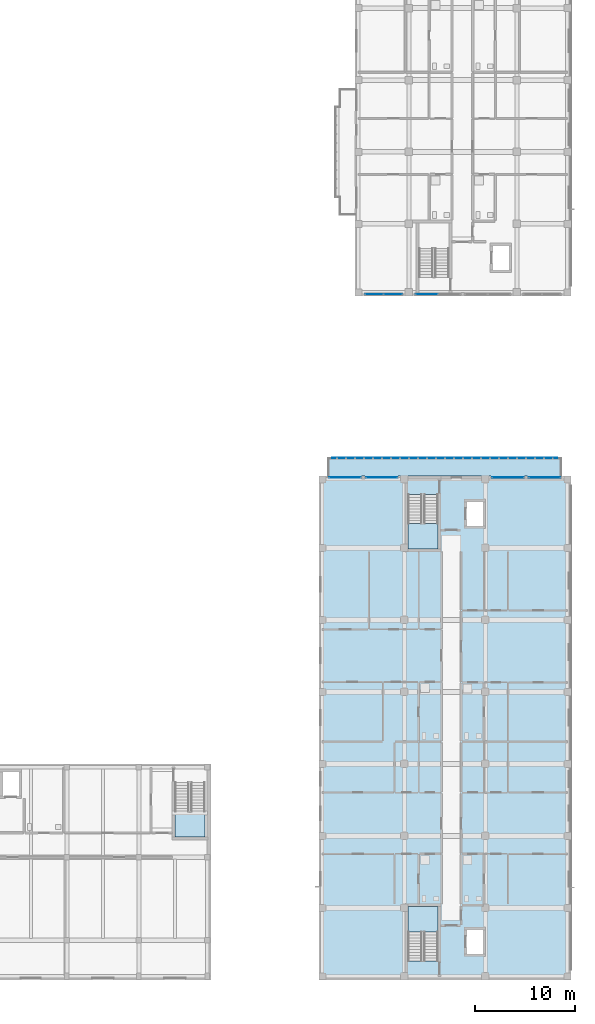
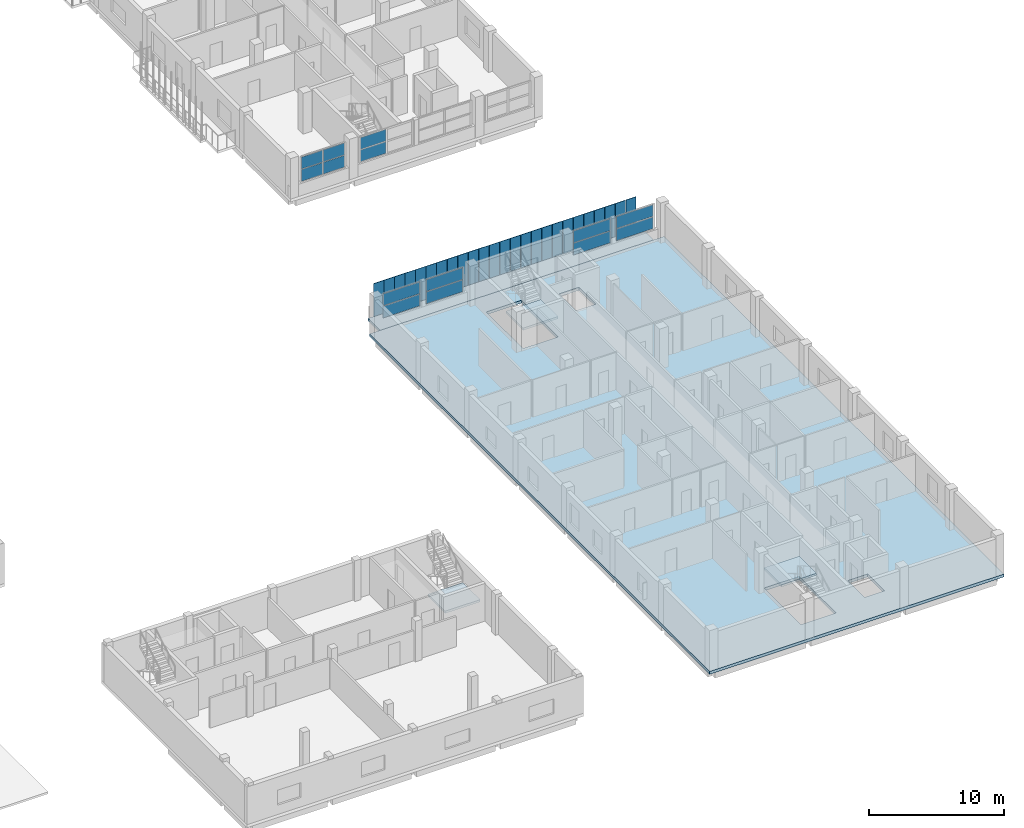
# One storey, part 32 of 73: 39 plates, 5 slabs, 9 elements without a shape of their own.
"""IFC4 building model written with IfcOpenShell, lengths in metres."""

from ifc_helpers import new_model, si_unit, derived_unit, direction, frame, origin, origin_2d, place, context, subcontext, project, spatial, polyline, rectangle, outline, extrude, material, layer, layer_set, type_object, element, aggregate, save


model = new_model("IFC4")

# Units and contexts
model_context = context("Model", 3, precision=1e-05, world=origin(), true_north=direction((0.0, 1.0)))
body_context = subcontext(model_context, "Body", "Model", "MODEL_VIEW")
ifc_project = project(units=[si_unit("LENGTHUNIT", "METRE"), si_unit("AREAUNIT", "SQUARE_METRE"), si_unit("VOLUMEUNIT", "CUBIC_METRE"), si_unit("PLANEANGLEUNIT", "RADIAN"), si_unit("MASSUNIT", "GRAM", prefix="KILO"), derived_unit("THERMALTRANSMITTANCEUNIT", [(si_unit("MASSUNIT", "GRAM", prefix="KILO"), 1), (si_unit("TIMEUNIT", "SECOND"), -3), (si_unit("THERMODYNAMICTEMPERATUREUNIT", "KELVIN"), -1)])], contexts=[model_context])

# Site, building, storey
site_placement = place(None, origin())
site = spatial("IfcSite", under=ifc_project, at=site_placement, CompositionType="ELEMENT")
building_placement = place(site_placement, origin())
building = spatial("IfcBuilding", under=site, at=building_placement, Name="Ochrekiln Boulevard Commons", CompositionType="ELEMENT")
storey_placement = place(building_placement, frame((0.0, 0.0, 4.89990234375)))
storey = spatial("IfcBuildingStorey", under=building, at=storey_placement, Name="L01", CompositionType="ELEMENT", Elevation=4.89990234375)

# Curtain wall, plates
ifc_material_1 = material(Name="Bronze-anodized extruded aluminium 6063-T6", Category="aluminium")
ifc_layer_1 = layer(ifc_material_1, 0.18408203125)
ifc_layer_set_1 = layer_set([ifc_layer_1], Name="Bronze-anodized extruded aluminium 6063-T6")
curtain_wall_type = type_object("IfcCurtainWallType", Name="CW-GABLE-B", PredefinedType="USERDEFINED", material=ifc_layer_set_1)
curtain_wall_1_placement = place(storey_placement, origin())
curtain_wall_1 = element("IfcCurtainWall", 1, at=curtain_wall_1_placement, inside=storey, type_object=curtain_wall_type, Name="Block B L01 Courtyard Glazed Gable Curtain Wall 2", ObjectType="GLAZED CURTAIN WALL", PredefinedType="USERDEFINED")
ifc_material_2 = material(Name="Spectrally selective low-E insulated glazing", Category="glass")
ifc_layer_2 = layer(ifc_material_2, 0.02392578125)
ifc_layer_set_2 = layer_set([ifc_layer_2], Name="Spectrally selective low-E insulated glazing")
plate_type_1 = type_object("IfcPlateType", Name="CWP-GLZ-1", PredefinedType="CURTAIN_PANEL", material=ifc_layer_set_2)
plate_1_placement = place(storey_placement, frame((158.38134765625, 68.570068359375, 1.17529296875), z_axis=(0.0, 0.0, 1.0), x_axis=(1.0, 0.0, 0.0)))
plate_1 = element("IfcPlate", 2, at=plate_1_placement, type_object=plate_type_1, Name="CW-02 panel 1.1", PredefinedType="CURTAIN_PANEL", context=body_context, shape_type="SweptSolid", body=[
    extrude(rectangle(XDim=2.1923828125, YDim=0.02392578125, at=origin_2d()), origin(), (0.0, 0.0, 1.0), 1.054443359375),
])
plate_2_placement = place(storey_placement, frame((158.38134765625, 68.570068359375, 2.29443359375), z_axis=(0.0, 0.0, 1.0), x_axis=(1.0, 0.0, 0.0)))
plate_2 = element("IfcPlate", 3, at=plate_2_placement, type_object=plate_type_1, Name="CW-02 panel 1.2", PredefinedType="CURTAIN_PANEL", context=body_context, shape_type="SweptSolid", body=[
    extrude(rectangle(XDim=2.1923828125, YDim=0.02392578125, at=origin_2d()), origin(), (0.0, 0.0, 1.0), 1.055419921875),
])
aggregate(curtain_wall_1, [plate_1, plate_2])

curtain_wall_2_placement = place(storey_placement, origin())
curtain_wall_2 = element("IfcCurtainWall", 4, at=curtain_wall_2_placement, inside=storey, type_object=curtain_wall_type, Name="Block C L01 Courtyard Glazed Gable Curtain Wall 4", ObjectType="GLAZED CURTAIN WALL", PredefinedType="USERDEFINED")
plate_3_placement = place(storey_placement, frame((170.18994140625, 50.235107421875, 1.17529296875), z_axis=(0.0, 0.0, 1.0), x_axis=(1.0, 0.0, 0.0)))
plate_3 = element("IfcPlate", 5, at=plate_3_placement, type_object=plate_type_1, Name="CW-02 panel 1.1", PredefinedType="CURTAIN_PANEL", context=body_context, shape_type="SweptSolid", body=[
    extrude(rectangle(XDim=3.14990234375, YDim=0.02392578125, at=origin_2d()), origin(), (0.0, 0.0, 1.0), 1.054443359375),
])
plate_4_placement = place(storey_placement, frame((170.18994140625, 50.235107421875, 2.29443359375), z_axis=(0.0, 0.0, 1.0), x_axis=(1.0, 0.0, 0.0)))
plate_4 = element("IfcPlate", 6, at=plate_4_placement, type_object=plate_type_1, Name="CW-02 panel 1.2", PredefinedType="CURTAIN_PANEL", context=body_context, shape_type="SweptSolid", body=[
    extrude(rectangle(XDim=3.14990234375, YDim=0.02392578125, at=origin_2d()), origin(), (0.0, 0.0, 1.0), 1.055419921875),
])
aggregate(curtain_wall_2, [plate_3, plate_4])

curtain_wall_3_placement = place(storey_placement, origin())
curtain_wall_3 = element("IfcCurtainWall", 7, at=curtain_wall_3_placement, inside=storey, type_object=curtain_wall_type, Name="Block C L01 Courtyard Glazed Gable Curtain Wall 1", ObjectType="GLAZED CURTAIN WALL", PredefinedType="USERDEFINED")
ifc_layer_3 = layer(ifc_material_2, 0.030029296875)
ifc_layer_set_3 = layer_set([ifc_layer_3], Name="Spectrally selective low-E insulated glazing")
plate_type_2 = type_object("IfcPlateType", Name="CWP-GLZ-2", PredefinedType="CURTAIN_PANEL", material=ifc_layer_set_3)
plate_5_placement = place(storey_placement, frame((150.2099609375, 50.235107421875, 1.17529296875), z_axis=(0.0, 0.0, 1.0), x_axis=(1.0, 0.0, 0.0)))
plate_5 = element("IfcPlate", 8, at=plate_5_placement, type_object=plate_type_2, Name="CW-02 panel 1.1", PredefinedType="CURTAIN_PANEL", context=body_context, shape_type="SweptSolid", body=[
    extrude(rectangle(XDim=3.14990234375, YDim=0.030029296875, at=origin_2d()), origin(), (0.0, 0.0, 1.0), 1.054443359375),
])
plate_6_placement = place(storey_placement, frame((150.2099609375, 50.235107421875, 2.29443359375), z_axis=(0.0, 0.0, 1.0), x_axis=(1.0, 0.0, 0.0)))
plate_6 = element("IfcPlate", 9, at=plate_6_placement, type_object=plate_type_2, Name="CW-02 panel 1.2", PredefinedType="CURTAIN_PANEL", context=body_context, shape_type="SweptSolid", body=[
    extrude(rectangle(XDim=3.14990234375, YDim=0.030029296875, at=origin_2d()), origin(), (0.0, 0.0, 1.0), 1.055419921875),
])
aggregate(curtain_wall_3, [plate_5, plate_6])

curtain_wall_4_placement = place(storey_placement, origin())
curtain_wall_4 = element("IfcCurtainWall", 10, at=curtain_wall_4_placement, inside=storey, type_object=curtain_wall_type, Name="Block C L01 Courtyard Glazed Gable Curtain Wall 2", ObjectType="GLAZED CURTAIN WALL", PredefinedType="USERDEFINED")
ifc_layer_4 = layer(ifc_material_2, 0.035888671875)
ifc_layer_set_4 = layer_set([ifc_layer_4], Name="Spectrally selective low-E insulated glazing")
plate_type_3 = type_object("IfcPlateType", Name="CWP-GLZ-3", PredefinedType="CURTAIN_PANEL", material=ifc_layer_set_4)
plate_7_placement = place(storey_placement, frame((153.889892578125, 50.235107421875, 1.17529296875), z_axis=(0.0, 0.0, 1.0), x_axis=(1.0, 0.0, 0.0)))
plate_7 = element("IfcPlate", 11, at=plate_7_placement, type_object=plate_type_3, Name="CW-02 panel 1.1", PredefinedType="CURTAIN_PANEL", context=body_context, shape_type="SweptSolid", body=[
    extrude(rectangle(XDim=3.14990234375, YDim=0.035888671875, at=origin_2d()), origin(), (0.0, 0.0, 1.0), 1.054443359375),
])
plate_8_placement = place(storey_placement, frame((153.889892578125, 50.235107421875, 2.29443359375), z_axis=(0.0, 0.0, 1.0), x_axis=(1.0, 0.0, 0.0)))
plate_8 = element("IfcPlate", 12, at=plate_8_placement, type_object=plate_type_3, Name="CW-02 panel 1.2", PredefinedType="CURTAIN_PANEL", context=body_context, shape_type="SweptSolid", body=[
    extrude(rectangle(XDim=3.14990234375, YDim=0.035888671875, at=origin_2d()), origin(), (0.0, 0.0, 1.0), 1.055419921875),
])
aggregate(curtain_wall_4, [plate_7, plate_8])

curtain_wall_5_placement = place(storey_placement, origin())
curtain_wall_5 = element("IfcCurtainWall", 13, at=curtain_wall_5_placement, inside=storey, type_object=curtain_wall_type, Name="Block B L01 Courtyard Glazed Gable Curtain Wall 1", ObjectType="GLAZED CURTAIN WALL", PredefinedType="USERDEFINED")
ifc_layer_5 = layer(ifc_material_2, 0.0419921875)
ifc_layer_set_5 = layer_set([ifc_layer_5], Name="Spectrally selective low-E insulated glazing")
plate_type_4 = type_object("IfcPlateType", Name="CWP-GLZ-4", PredefinedType="CURTAIN_PANEL", material=ifc_layer_set_5)
plate_9_placement = place(storey_placement, frame((153.137451171875, 68.570068359375, 1.170166015625), z_axis=(0.0, 0.0, 1.0), x_axis=(1.0, 0.0, 0.0)))
plate_9 = element("IfcPlate", 14, at=plate_9_placement, type_object=plate_type_4, Name="CW-02 panel 1.1", PredefinedType="CURTAIN_PANEL", context=body_context, shape_type="SweptSolid", body=[
    extrude(rectangle(XDim=1.81494140625, YDim=0.0419921875, at=origin_2d()), origin(), (0.0, 0.0, 1.0), 1.06201171875),
])
plate_10_placement = place(storey_placement, frame((153.137451171875, 68.570068359375, 2.2919921875), z_axis=(0.0, 0.0, 1.0), x_axis=(1.0, 0.0, 0.0)))
plate_10 = element("IfcPlate", 15, at=plate_10_placement, type_object=plate_type_4, Name="CW-02 panel 1.2", PredefinedType="CURTAIN_PANEL", context=body_context, shape_type="SweptSolid", body=[
    extrude(rectangle(XDim=1.81494140625, YDim=0.0419921875, at=origin_2d()), origin(), (0.0, 0.0, 1.0), 1.06298828125),
])
plate_11_placement = place(storey_placement, frame((155.012451171875, 68.570068359375, 1.170166015625), z_axis=(0.0, 0.0, 1.0), x_axis=(1.0, 0.0, 0.0)))
plate_11 = element("IfcPlate", 16, at=plate_11_placement, type_object=plate_type_4, Name="CW-02 panel 2.1", PredefinedType="CURTAIN_PANEL", context=body_context, shape_type="SweptSolid", body=[
    extrude(rectangle(XDim=1.81494140625, YDim=0.0419921875, at=origin_2d()), origin(), (0.0, 0.0, 1.0), 1.06201171875),
])
plate_12_placement = place(storey_placement, frame((155.012451171875, 68.570068359375, 2.2919921875), z_axis=(0.0, 0.0, 1.0), x_axis=(1.0, 0.0, 0.0)))
plate_12 = element("IfcPlate", 17, at=plate_12_placement, type_object=plate_type_4, Name="CW-02 panel 2.2", PredefinedType="CURTAIN_PANEL", context=body_context, shape_type="SweptSolid", body=[
    extrude(rectangle(XDim=1.81494140625, YDim=0.0419921875, at=origin_2d()), origin(), (0.0, 0.0, 1.0), 1.06298828125),
])
aggregate(curtain_wall_5, [plate_9, plate_10, plate_11, plate_12])

curtain_wall_6_placement = place(storey_placement, origin())
curtain_wall_6 = element("IfcCurtainWall", 18, at=curtain_wall_6_placement, inside=storey, type_object=curtain_wall_type, Name="Block C L01 Courtyard Glazed Gable Curtain Wall 3", ObjectType="GLAZED CURTAIN WALL", PredefinedType="USERDEFINED")
plate_13_placement = place(storey_placement, frame((166.510009765625, 50.235107421875, 1.17529296875), z_axis=(0.0, 0.0, 1.0), x_axis=(1.0, 0.0, 0.0)))
plate_13 = element("IfcPlate", 19, at=plate_13_placement, type_object=plate_type_4, Name="CW-02 panel 1.1", PredefinedType="CURTAIN_PANEL", context=body_context, shape_type="SweptSolid", body=[
    extrude(rectangle(XDim=3.14990234375, YDim=0.0419921875, at=origin_2d()), origin(), (0.0, 0.0, 1.0), 1.054443359375),
])
plate_14_placement = place(storey_placement, frame((166.510009765625, 50.235107421875, 2.29443359375), z_axis=(0.0, 0.0, 1.0), x_axis=(1.0, 0.0, 0.0)))
plate_14 = element("IfcPlate", 20, at=plate_14_placement, type_object=plate_type_4, Name="CW-02 panel 1.2", PredefinedType="CURTAIN_PANEL", context=body_context, shape_type="SweptSolid", body=[
    extrude(rectangle(XDim=3.14990234375, YDim=0.0419921875, at=origin_2d()), origin(), (0.0, 0.0, 1.0), 1.055419921875),
])
aggregate(curtain_wall_6, [plate_13, plate_14])

# Plates
ifc_layer_6 = layer(ifc_material_1, 0.031982421875)
ifc_layer_set_6 = layer_set([ifc_layer_6], Name="Bronze-anodized extruded aluminium 6063-T6")
plate_type_5 = type_object("IfcPlateType", Name="PLT-SCR-BRZ-3", PredefinedType="USERDEFINED", material=ifc_layer_set_6)
for number, where, z_axis, x_axis, name in (
    (21, (149.39990234375, 52.18994140625, -0.159912109375), (0.0, 0.0, 1.0), (1.0, 0.0, 0.0), "Block C L01 Perforated Bronze Mesh Screen Panel 1"),
    (22, (150.300048828125, 52.18994140625, -0.159912109375), (0.0, 0.0, 1.0), (1.0, 0.0, 0.0), "Block C L01 Perforated Bronze Mesh Screen Panel 2"),
    (23, (151.199951171875, 52.18994140625, -0.159912109375), (0.0, 0.0, 1.0), (1.0, 0.0, 0.0), "Block C L01 Perforated Bronze Mesh Screen Panel 3"),
    (24, (152.10009765625, 52.18994140625, -0.159912109375), (0.0, 0.0, 1.0), (1.0, 0.0, 0.0), "Block C L01 Perforated Bronze Mesh Screen Panel 4"),
    (25, (153.0, 52.18994140625, -0.159912109375), (0.0, 0.0, 1.0), (1.0, 0.0, 0.0), "Block C L01 Perforated Bronze Mesh Screen Panel 5"),
    (26, (153.89990234375, 52.18994140625, -0.159912109375), (0.0, 0.0, 1.0), (1.0, 0.0, 0.0), "Block C L01 Perforated Bronze Mesh Screen Panel 6"),
    (27, (154.800048828125, 52.18994140625, -0.159912109375), (0.0, 0.0, 1.0), (1.0, 0.0, 0.0), "Block C L01 Perforated Bronze Mesh Screen Panel 7"),
    (28, (155.699951171875, 52.18994140625, -0.159912109375), (0.0, 0.0, 1.0), (1.0, 0.0, 0.0), "Block C L01 Perforated Bronze Mesh Screen Panel 8"),
    (29, (156.60009765625, 52.18994140625, -0.159912109375), (0.0, 0.0, 1.0), (1.0, 0.0, 0.0), "Block C L01 Perforated Bronze Mesh Screen Panel 9"),
    (30, (157.5, 52.18994140625, -0.159912109375), (0.0, 0.0, 1.0), (1.0, 0.0, 0.0), "Block C L01 Perforated Bronze Mesh Screen Panel 10"),
    (31, (158.39990234375, 52.18994140625, -0.159912109375), (0.0, 0.0, 1.0), (1.0, 0.0, 0.0), "Block C L01 Perforated Bronze Mesh Screen Panel 11"),
    (32, (159.300048828125, 52.18994140625, -0.159912109375), (0.0, 0.0, 1.0), (1.0, 0.0, 0.0), "Block C L01 Perforated Bronze Mesh Screen Panel 12"),
    (33, (160.199951171875, 52.18994140625, -0.159912109375), (0.0, 0.0, 1.0), (1.0, 0.0, 0.0), "Block C L01 Perforated Bronze Mesh Screen Panel 13"),
    (34, (161.10009765625, 52.18994140625, -0.159912109375), (0.0, 0.0, 1.0), (1.0, 0.0, 0.0), "Block C L01 Perforated Bronze Mesh Screen Panel 14"),
    (35, (162.0, 52.18994140625, -0.159912109375), (0.0, 0.0, 1.0), (1.0, 0.0, 0.0), "Block C L01 Perforated Bronze Mesh Screen Panel 15"),
    (36, (162.89990234375, 52.18994140625, -0.159912109375), (0.0, 0.0, 1.0), (1.0, 0.0, 0.0), "Block C L01 Perforated Bronze Mesh Screen Panel 16"),
    (37, (163.800048828125, 52.18994140625, -0.159912109375), (0.0, 0.0, 1.0), (1.0, 0.0, 0.0), "Block C L01 Perforated Bronze Mesh Screen Panel 17"),
    (38, (164.699951171875, 52.18994140625, -0.159912109375), (0.0, 0.0, 1.0), (1.0, 0.0, 0.0), "Block C L01 Perforated Bronze Mesh Screen Panel 18"),
    (39, (165.60009765625, 52.18994140625, -0.159912109375), (0.0, 0.0, 1.0), (1.0, 0.0, 0.0), "Block C L01 Perforated Bronze Mesh Screen Panel 19"),
    (40, (166.5, 52.18994140625, -0.159912109375), (0.0, 0.0, 1.0), (1.0, 0.0, 0.0), "Block C L01 Perforated Bronze Mesh Screen Panel 20"),
    (41, (167.39990234375, 52.18994140625, -0.159912109375), (0.0, 0.0, 1.0), (1.0, 0.0, 0.0), "Block C L01 Perforated Bronze Mesh Screen Panel 21"),
    (42, (168.300048828125, 52.18994140625, -0.159912109375), (0.0, 0.0, 1.0), (1.0, 0.0, 0.0), "Block C L01 Perforated Bronze Mesh Screen Panel 22"),
    (43, (169.199951171875, 52.18994140625, -0.159912109375), (0.0, 0.0, 1.0), (1.0, 0.0, 0.0), "Block C L01 Perforated Bronze Mesh Screen Panel 23"),
    (44, (170.10009765625, 52.18994140625, -0.159912109375), (0.0, 0.0, 1.0), (1.0, 0.0, 0.0), "Block C L01 Perforated Bronze Mesh Screen Panel 24"),
    (45, (171.0, 52.18994140625, -0.159912109375), (0.0, 0.0, 1.0), (1.0, 0.0, 0.0), "Block C L01 Perforated Bronze Mesh Screen Panel 25"),
):
    element("IfcPlate", number, at=place(storey_placement, frame(where, z_axis=z_axis, x_axis=x_axis)), inside=storey, type_object=plate_type_5, Name=name, ObjectType="SCREEN", PredefinedType="USERDEFINED", context=body_context, shape_type="SweptSolid", body=[
        extrude(rectangle(XDim=0.8798828125, YDim=0.031982421875, at=origin_2d()), origin(), (0.0, 0.0, 1.0), 3.14990234375),
    ])

# Slab
ifc_material_3 = material(Name="Concrete C35/45", Category="concrete")
ifc_layer_7 = layer(ifc_material_3, 0.219970703125)
ifc_layer_set_7 = layer_set([ifc_layer_7], Name="Concrete C35/45")
slab_type_1 = type_object("IfcSlabType", Name="SLB-BAL-220", PredefinedType="FLOOR", material=ifc_layer_set_7)
slab_1_placement = place(storey_placement, frame((0.0, 0.0, -0.219970703125)))
element("IfcSlab", 46, at=slab_1_placement, inside=storey, type_object=slab_type_1, Name="Block C L01 Screened North Courtyard Balcony Slab", PredefinedType="FLOOR", context=body_context, shape_type="SweptSolid", body=[
    extrude(outline(polyline([(148.5, 50.39990234375), (171.89990234375, 50.39990234375), (171.89990234375, 52.199951171875), (148.5, 52.199951171875), (148.5, 50.39990234375)])), origin(), (0.0, 0.0, 1.0), 0.219970703125),
])

# Stair, slab
stair_type = type_object("IfcStairType", Name="STR-DL-368", PredefinedType="TWO_STRAIGHT_RUN_STAIR", material=ifc_material_3)
stair_1_placement = place(storey_placement, origin())
stair_1 = element("IfcStair", 47, at=stair_1_placement, inside=storey, type_object=stair_type, Name="L01 Enclosed Exit Stair ST-C1", PredefinedType="TWO_STRAIGHT_RUN_STAIR")
ifc_layer_8 = layer(ifc_material_3, 0.199951171875)
ifc_layer_set_8 = layer_set([ifc_layer_8], Name="Concrete C35/45")
slab_type_2 = type_object("IfcSlabType", Name="SLB-LND-200", PredefinedType="LANDING", material=ifc_layer_set_8)
slab_2_placement = place(storey_placement, frame((0.0, 0.0, 1.6376953125)))
slab_2 = element("IfcSlab", 48, at=slab_2_placement, type_object=slab_type_2, Name="ST-C1 landing 1", PredefinedType="LANDING", context=body_context, shape_type="SweptSolid", body=[
    extrude(outline(polyline([(159.5, 4.77001953125), (159.5, 7.320068359375), (156.5, 7.320068359375), (156.5, 4.77001953125), (159.5, 4.77001953125)])), origin(), (0.0, 0.0, 1.0), 0.199951171875),
])
aggregate(stair_1, [slab_2])

stair_2_placement = place(storey_placement, origin())
stair_2 = element("IfcStair", 49, at=stair_2_placement, inside=storey, type_object=stair_type, Name="L01 Enclosed Exit Stair ST-C2", PredefinedType="TWO_STRAIGHT_RUN_STAIR")
slab_3_placement = place(storey_placement, frame((0.0, 0.0, 1.6376953125)))
slab_3 = element("IfcSlab", 50, at=slab_3_placement, type_object=slab_type_2, Name="ST-C2 landing 1", PredefinedType="LANDING", context=body_context, shape_type="SweptSolid", body=[
    extrude(outline(polyline([(156.5, 45.6298828125), (156.5, 43.080078125), (159.5, 43.080078125), (159.5, 45.6298828125), (156.5, 45.6298828125)])), origin(), (0.0, 0.0, 1.0), 0.199951171875),
])
aggregate(stair_2, [slab_3])

stair_3_placement = place(storey_placement, origin())
stair_3 = element("IfcStair", 51, at=stair_3_placement, inside=storey, type_object=stair_type, Name="L01 Enclosed Exit Stair ST-E2", PredefinedType="TWO_STRAIGHT_RUN_STAIR")
slab_4_placement = place(storey_placement, frame((0.0, 0.0, 1.6376953125)))
slab_4 = element("IfcSlab", 52, at=slab_4_placement, type_object=slab_type_2, Name="ST-E2 landing 1", PredefinedType="LANDING", context=body_context, shape_type="SweptSolid", body=[
    extrude(outline(polyline([(133.199951171875, 16.830078125), (133.199951171875, 14.280029296875), (136.199951171875, 14.280029296875), (136.199951171875, 16.830078125), (133.199951171875, 16.830078125)])), origin(), (0.0, 0.0, 1.0), 0.199951171875),
])
aggregate(stair_3, [slab_4])

# Slab
ifc_layer_9 = layer(ifc_material_3, 0.260009765625)
ifc_layer_set_9 = layer_set([ifc_layer_9], Name="Concrete C35/45")
slab_type_3 = type_object("IfcSlabType", Name="SLB-RES-260", PredefinedType="FLOOR", material=ifc_layer_set_9)
slab_5_placement = place(storey_placement, frame((0.0, 0.0, -0.260009765625)))
element("IfcSlab", 53, at=slab_5_placement, inside=storey, type_object=slab_type_3, Name="Block C L01 Reinforced Concrete Floor Slab", PredefinedType="FLOOR", context=body_context, shape_type="SweptSolid", body=[
    extrude(outline(polyline([(147.60009765625, 0.0), (172.800048828125, 0.0), (172.800048828125, 50.39990234375), (147.60009765625, 50.39990234375), (147.60009765625, 0.0)]), holes=[polyline([(159.5, 1.87060546875), (159.5, 7.320068359375), (156.5, 7.320068359375), (156.5, 1.87060546875), (159.5, 1.87060546875)]), polyline([(156.5, 48.529541015625), (156.5, 43.080078125), (159.5, 43.080078125), (159.5, 48.529541015625), (156.5, 48.529541015625)]), polyline([(162.35009765625, 2.550048828125), (164.050048828125, 2.550048828125), (164.050048828125, 5.050048828125), (162.35009765625, 5.050048828125), (162.35009765625, 2.550048828125)]), polyline([(162.35009765625, 45.35009765625), (164.050048828125, 45.35009765625), (164.050048828125, 47.85009765625), (162.35009765625, 47.85009765625), (162.35009765625, 45.35009765625)])]), origin(), (0.0, 0.0, 1.0), 0.260009765625),
])

save(model, "model.ifc")
